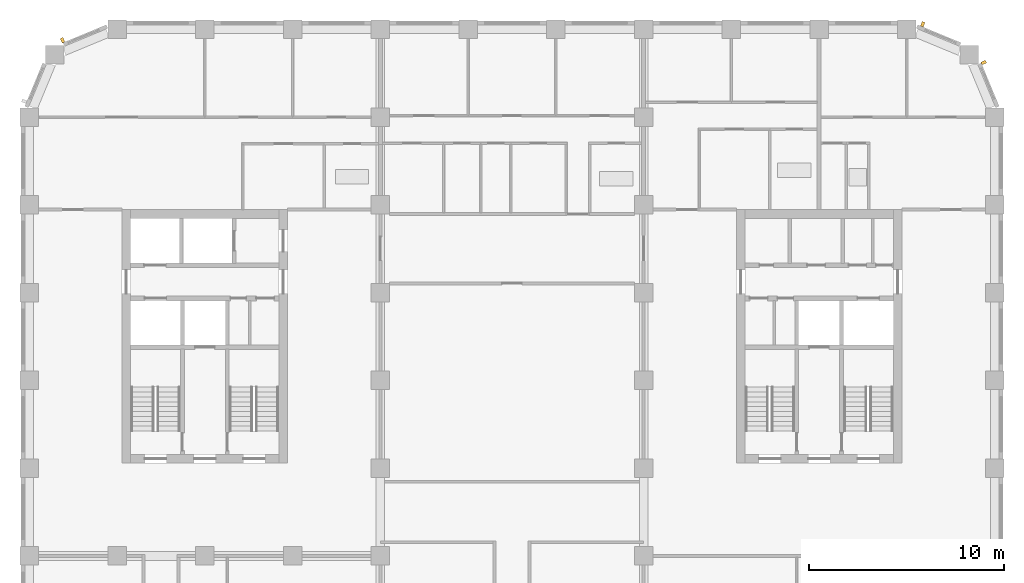
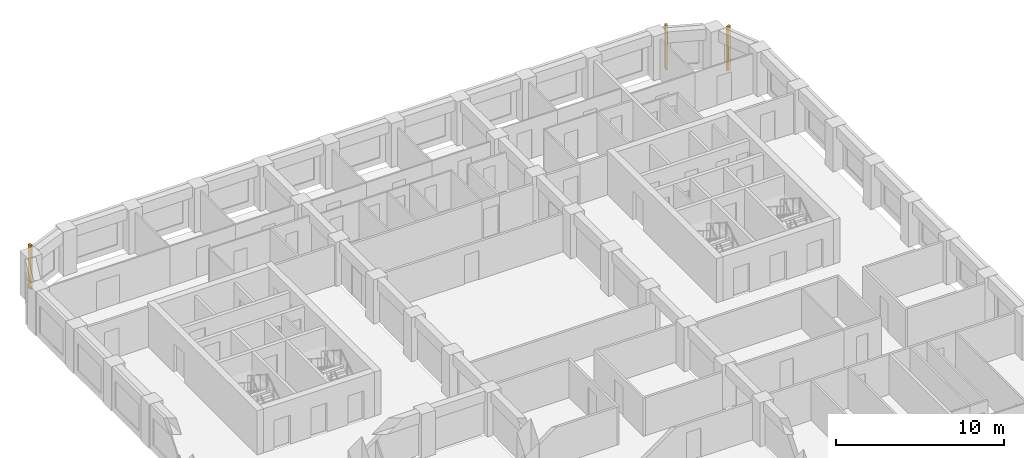
# One storey, part 12 of 13: 3 shading devices.
"""IFC4 building model written with IfcOpenShell, lengths in metres."""

from ifc_helpers import new_model, si_unit, direction, frame, origin, origin_2d, place, context, subcontext, project, spatial, rectangle, extrude, material, type_object, element, save


model = new_model("IFC4")

# Units and contexts
model_context = context("Model", 3, precision=1e-05, world=origin(), true_north=direction((0.0, 1.0)))
body_context = subcontext(model_context, "Body", "Model", "MODEL_VIEW")
ifc_project = project(units=[si_unit("LENGTHUNIT", "METRE"), si_unit("AREAUNIT", "SQUARE_METRE"), si_unit("VOLUMEUNIT", "CUBIC_METRE"), si_unit("PLANEANGLEUNIT", "RADIAN"), si_unit("MASSUNIT", "GRAM", prefix="KILO")], contexts=[model_context])

# Site, building, storey
site_placement = place(None, origin())
site = spatial("IfcSite", under=ifc_project, at=site_placement, CompositionType="ELEMENT")
building_placement = place(site_placement, origin())
building = spatial("IfcBuilding", under=site, at=building_placement, Name="Girih Gate Residences", CompositionType="ELEMENT")
storey_placement = place(building_placement, frame((0.0, 0.0, 133.39990234375)))
storey = spatial("IfcBuildingStorey", under=building, at=storey_placement, Name="L37", CompositionType="ELEMENT", Elevation=133.39990234375)

# Shading devices
ifc_material = material(Name="Precast concrete C50/60", Category="concrete")
shading_device_type = type_object("IfcShadingDeviceType", Name="Corner rib 150x250", PredefinedType="USERDEFINED", material=ifc_material)
for number, where, z_axis, x_axis, name in (
    (1, (48.937744140625, 47.794677734375, 0.0), (0.0, 0.0, 1.0), (-0.382683432365, 0.923879532511, 0.0), "Corner rib NE0495_0450.0"),
    (2, (45.808349609375, 49.760498046875, 0.0), (0.0, 0.0, 1.0), (-0.923879532511, 0.382683432365, 0.0), "Corner rib NE0482_0482.0"),
    (3, (1.705322265625, 48.937744140625, 0.0), (0.0, 0.0, 1.0), (-0.923879532511, -0.382683432365, 0.0), "Corner rib NW0045_0495.0"),
):
    element("IfcShadingDevice", number, at=place(storey_placement, frame(where, z_axis=z_axis, x_axis=x_axis)), inside=storey, type_object=shading_device_type, Name=name, ObjectType="FIN", PredefinedType="USERDEFINED", context=body_context, shape_type="SweptSolid", body=[
        extrude(rectangle(XDim=0.14990234375, YDim=0.25, at=origin_2d()), origin(), (0.0, 0.0, 1.0), 3.199951171875),
    ])

save(model, "model.ifc")
